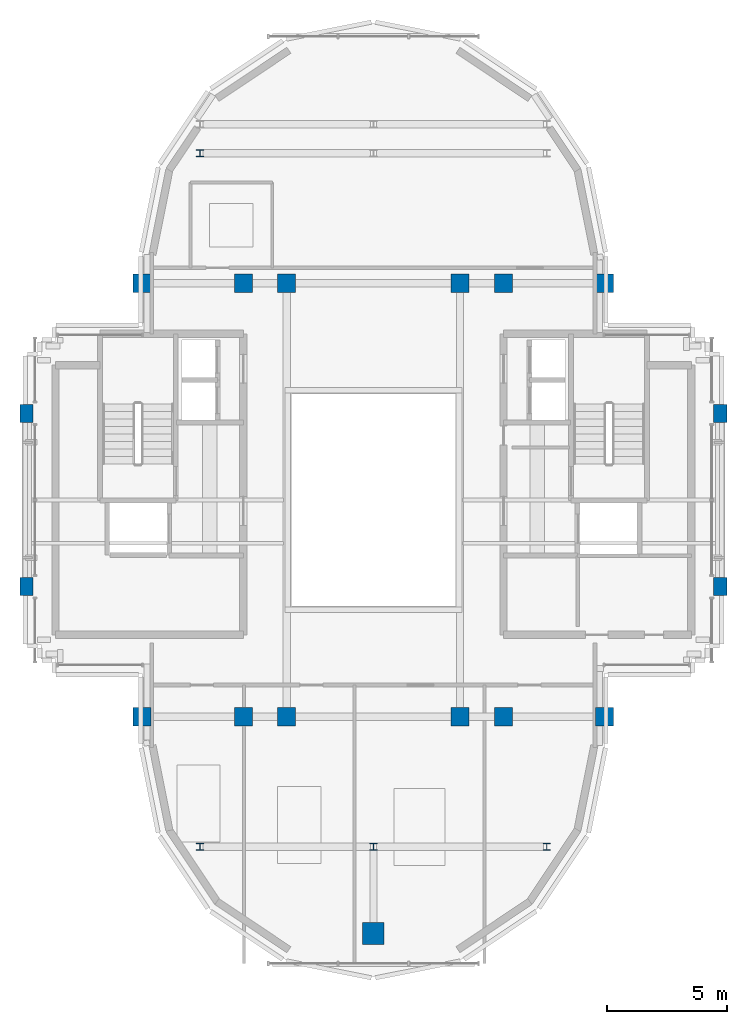
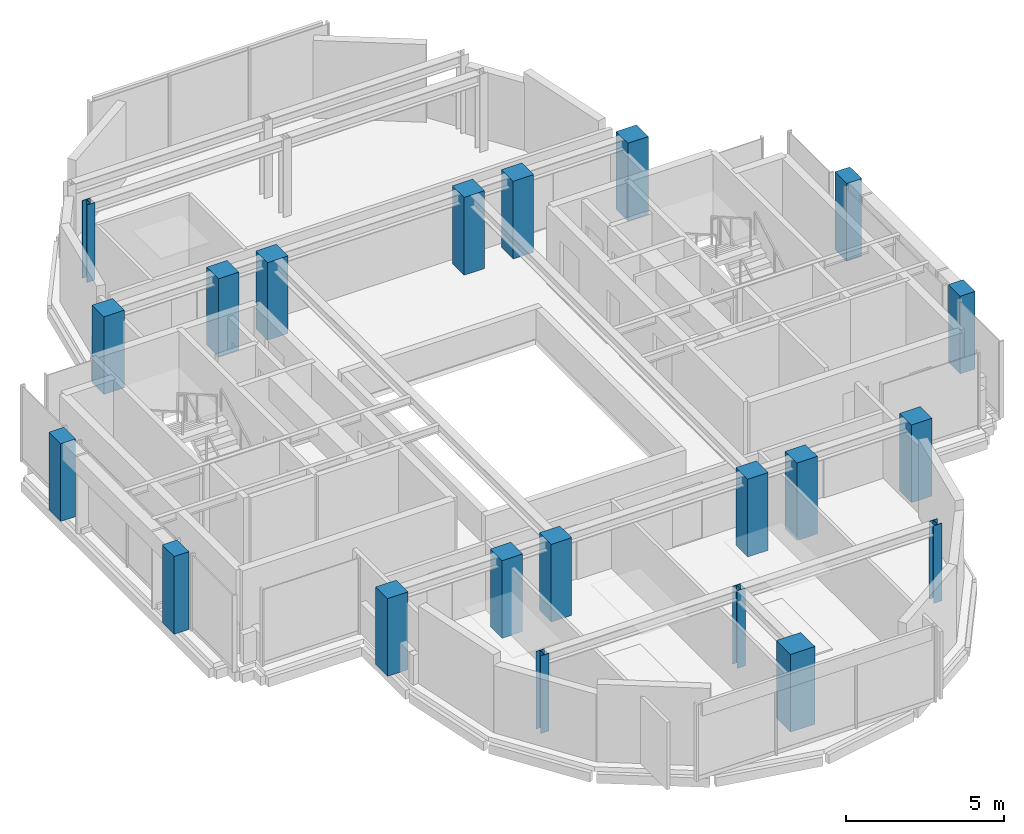
# One storey, part 1 of 11: 21 columns.
"""IFC4 building model written with IfcOpenShell, lengths in metres."""

from ifc_helpers import new_model, si_unit, direction, frame, origin, origin_2d, place, context, subcontext, project, spatial, rectangle, i_section, extrude, source, transform, mapped, material, material_profile, profile_set, type_object, element, save


model = new_model("IFC4")

# Units and contexts
model_context = context("Model", 3, precision=1e-05, world=origin(), true_north=direction((0.0, 1.0)))
body_context = subcontext(model_context, "Body", "Model", "MODEL_VIEW")
ifc_project = project(units=[si_unit("LENGTHUNIT", "METRE"), si_unit("AREAUNIT", "SQUARE_METRE"), si_unit("VOLUMEUNIT", "CUBIC_METRE"), si_unit("PLANEANGLEUNIT", "RADIAN"), si_unit("MASSUNIT", "GRAM", prefix="KILO")], contexts=[model_context])

# Site, building, storey
site_placement = place(None, origin())
site = spatial("IfcSite", under=ifc_project, at=site_placement, CompositionType="ELEMENT")
building_placement = place(site_placement, origin())
building = spatial("IfcBuilding", under=site, at=building_placement, Name="Keilestroom Media Tower", CompositionType="ELEMENT")
storey_placement = place(building_placement, frame((0.0, 0.0, 265.199951171875)))
storey = spatial("IfcBuildingStorey", under=building, at=storey_placement, Name="L74", CompositionType="ELEMENT", Elevation=265.199951171875)

# Columns
ifc_material_1 = material(Name="Precast concrete C40/50", Category="concrete")
ifc_material_profile_1 = material_profile(ifc_material_1, rectangle(XDim=0.550048828125, YDim=0.75, at=origin_2d()), Name="PC 750x550")
ifc_profile_set_1 = profile_set([ifc_material_profile_1], Name="Precast concrete C40/50")
column_type_1 = type_object("IfcColumnType", Name="Structural-Column-PC-750x550", PredefinedType="COLUMN", material=ifc_profile_set_1)
shared_shape_1 = source(origin(), body_context, "Body", "SweptSolid", [
    extrude(rectangle(XDim=0.550048828125, YDim=0.75, at=origin_2d()), origin(), (0.0, 0.0, 1.0), 3.010009765625),
])
for number, where, z_axis, x_axis, name in (
    (1, (-14.39990234375, -3.60009765625, 0.0), (0.0, 0.0, 1.0), (1.0, 0.0, 0.0), "L74 Column PC-3 (-14.4,-3.6)"),
    (2, (-14.39990234375, 3.60009765625, 0.0), (0.0, 0.0, 1.0), (1.0, 0.0, 0.0), "L74 Column PC-3 (-14.4,+3.6)"),
    (3, (14.39990234375, -3.60009765625, 0.0), (0.0, 0.0, 1.0), (1.0, 0.0, 0.0), "L74 Column PC-3 (+14.4,-3.6)"),
    (4, (14.39990234375, 3.60009765625, 0.0), (0.0, 0.0, 1.0), (1.0, 0.0, 0.0), "L74 Column PC-3 (+14.4,+3.6)"),
):
    element("IfcColumn", number, at=place(storey_placement, frame(where, z_axis=z_axis, x_axis=x_axis)), inside=storey, type_object=column_type_1, Name=name, PredefinedType="COLUMN", context=body_context, shape_type="MappedRepresentation", body=[
        mapped(shared_shape_1, transform((0.0, 0.0, 0.0), x_axis=(1.0, 0.0, 0.0), y_axis=(0.0, 1.0, 0.0), z_axis=(0.0, 0.0, 1.0), scale=1.0)),
    ])
ifc_material_2 = material(Name="Concrete C55/67", Category="concrete")
ifc_material_profile_2 = material_profile(ifc_material_2, rectangle(XDim=0.89990234375, YDim=0.89990234375, at=origin_2d()), Name="RC 900x900")
ifc_profile_set_2 = profile_set([ifc_material_profile_2], Name="Concrete C55/67")
column_type_2 = type_object("IfcColumnType", Name="Structural-Column-RC-900x900", PredefinedType="COLUMN", material=ifc_profile_set_2)
shared_shape_2 = source(origin(), body_context, "Body", "SweptSolid", [
    extrude(rectangle(XDim=0.89990234375, YDim=0.89990234375, at=origin_2d()), origin(), (0.0, 0.0, 1.0), 3.010009765625),
])
column_placement = place(storey_placement, frame((0.0, -18.0, 0.0), z_axis=(0.0, 0.0, 1.0), x_axis=(1.0, 0.0, 0.0)))
element("IfcColumn", 5, at=column_placement, inside=storey, type_object=column_type_2, Name="L74 Column MC-4 (+0.0,-18.0)", PredefinedType="COLUMN", context=body_context, shape_type="MappedRepresentation", body=[
    mapped(shared_shape_2, transform((0.0, 0.0, 0.0), x_axis=(1.0, 0.0, 0.0), y_axis=(0.0, 1.0, 0.0), z_axis=(0.0, 0.0, 1.0), scale=1.0)),
])
ifc_material_3 = material(Name="Concrete C50/60", Category="concrete")
ifc_material_profile_3 = material_profile(ifc_material_3, rectangle(XDim=0.75, YDim=0.75, at=origin_2d()), Name="RC 750x750")
ifc_profile_set_3 = profile_set([ifc_material_profile_3], Name="Concrete C50/60")
column_type_3 = type_object("IfcColumnType", Name="Structural-Column-RC-750x750", PredefinedType="COLUMN", material=ifc_profile_set_3)
shared_shape_3 = source(origin(), body_context, "Body", "SweptSolid", [
    extrude(rectangle(XDim=0.75, YDim=0.75, at=origin_2d()), origin(), (0.0, 0.0, 1.0), 3.010009765625),
])
for number, where, z_axis, x_axis, name in (
    (6, (-9.60009765625, -9.0, 0.0), (0.0, 0.0, 1.0), (1.0, 0.0, 0.0), "L74 Column MC-5 (-9.6,-9.0)"),
    (7, (-9.60009765625, 9.0, 0.0), (0.0, 0.0, 1.0), (1.0, 0.0, 0.0), "L74 Column MC-5 (-9.6,+9.0)"),
    (8, (-5.39990234375, -9.0, 0.0), (0.0, 0.0, 1.0), (1.0, 0.0, 0.0), "L74 Column MC-5 (-5.4,-9.0)"),
    (9, (-5.39990234375, 9.0, 0.0), (0.0, 0.0, 1.0), (1.0, 0.0, 0.0), "L74 Column MC-5 (-5.4,+9.0)"),
    (10, (-3.60009765625, -9.0, 0.0), (0.0, 0.0, 1.0), (1.0, 0.0, 0.0), "L74 Column MC-5 (-3.6,-9.0)"),
    (11, (-3.60009765625, 9.0, 0.0), (0.0, 0.0, 1.0), (1.0, 0.0, 0.0), "L74 Column MC-5 (-3.6,+9.0)"),
    (12, (3.60009765625, -9.0, 0.0), (0.0, 0.0, 1.0), (1.0, 0.0, 0.0), "L74 Column MC-5 (+3.6,-9.0)"),
    (13, (3.60009765625, 9.0, 0.0), (0.0, 0.0, 1.0), (1.0, 0.0, 0.0), "L74 Column MC-5 (+3.6,+9.0)"),
    (14, (5.39990234375, -9.0, 0.0), (0.0, 0.0, 1.0), (1.0, 0.0, 0.0), "L74 Column MC-5 (+5.4,-9.0)"),
    (15, (5.39990234375, 9.0, 0.0), (0.0, 0.0, 1.0), (1.0, 0.0, 0.0), "L74 Column MC-5 (+5.4,+9.0)"),
    (16, (9.60009765625, -9.0, 0.0), (0.0, 0.0, 1.0), (1.0, 0.0, 0.0), "L74 Column MC-5 (+9.6,-9.0)"),
    (17, (9.60009765625, 9.0, 0.0), (0.0, 0.0, 1.0), (1.0, 0.0, 0.0), "L74 Column MC-5 (+9.6,+9.0)"),
):
    element("IfcColumn", number, at=place(storey_placement, frame(where, z_axis=z_axis, x_axis=x_axis)), inside=storey, type_object=column_type_3, Name=name, PredefinedType="COLUMN", context=body_context, shape_type="MappedRepresentation", body=[
        mapped(shared_shape_3, transform((0.0, 0.0, 0.0), x_axis=(1.0, 0.0, 0.0), y_axis=(0.0, 1.0, 0.0), z_axis=(0.0, 0.0, 1.0), scale=1.0)),
    ])
ifc_material_4 = material(Name="Steel S355", Category="steel")
ifc_material_profile_4 = material_profile(ifc_material_4, i_section(OverallWidth=0.300048828125, OverallDepth=0.300048828125, WebThickness=0.010986328125, FlangeThickness=0.01904296875, at=origin_2d()), Name="HEB 300")
ifc_profile_set_4 = profile_set([ifc_material_profile_4], Name="Steel S355")
column_type_4 = type_object("IfcColumnType", Name="Structural-Column-HEB-300", PredefinedType="COLUMN", material=ifc_profile_set_4)
shared_shape_4 = source(origin(), body_context, "Body", "SweptSolid", [
    extrude(i_section(OverallWidth=0.300048828125, OverallDepth=0.300048828125, WebThickness=0.010986328125, FlangeThickness=0.01904296875, at=origin_2d()), origin(), (0.0, 0.0, 1.0), 3.010009765625),
])
for number, where, z_axis, x_axis, name in (
    (18, (-7.199951171875, -14.39990234375, 0.0), (0.0, 0.0, 1.0), (1.0, 0.0, 0.0), "L74 Column SC-5 (-7.2,-14.4)"),
    (19, (-7.199951171875, 14.39990234375, 0.0), (0.0, 0.0, 1.0), (1.0, 0.0, 0.0), "L74 Column SC-5 (-7.2,+14.4)"),
    (20, (0.0, -14.39990234375, 0.0), (0.0, 0.0, 1.0), (1.0, 0.0, 0.0), "L74 Column SC-5 (+0.0,-14.4)"),
    (21, (7.199951171875, -14.39990234375, 0.0), (0.0, 0.0, 1.0), (1.0, 0.0, 0.0), "L74 Column SC-5 (+7.2,-14.4)"),
):
    element("IfcColumn", number, at=place(storey_placement, frame(where, z_axis=z_axis, x_axis=x_axis)), inside=storey, type_object=column_type_4, Name=name, PredefinedType="COLUMN", context=body_context, shape_type="MappedRepresentation", body=[
        mapped(shared_shape_4, transform((0.0, 0.0, 0.0), x_axis=(1.0, 0.0, 0.0), y_axis=(0.0, 1.0, 0.0), z_axis=(0.0, 0.0, 1.0), scale=1.0)),
    ])

save(model, "model.ifc")
